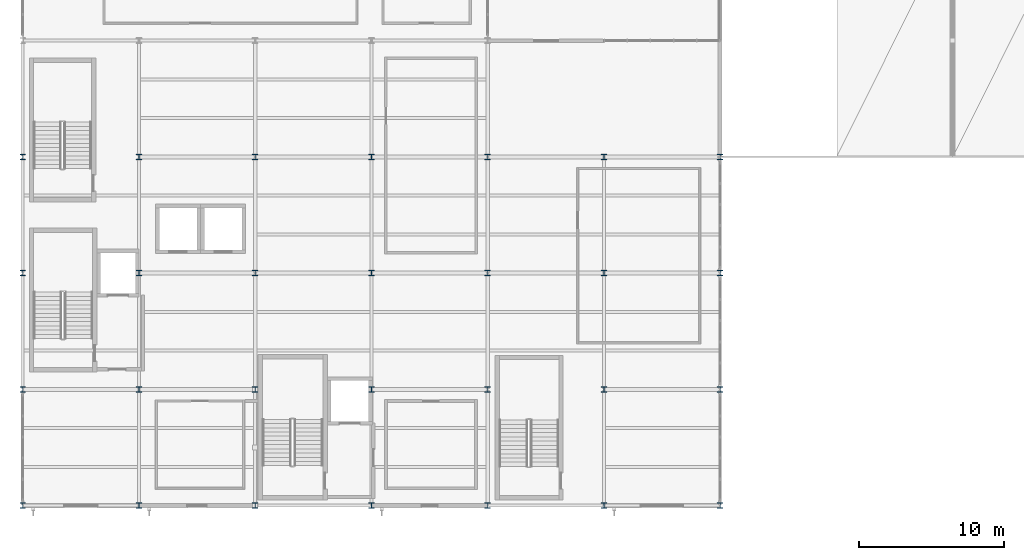
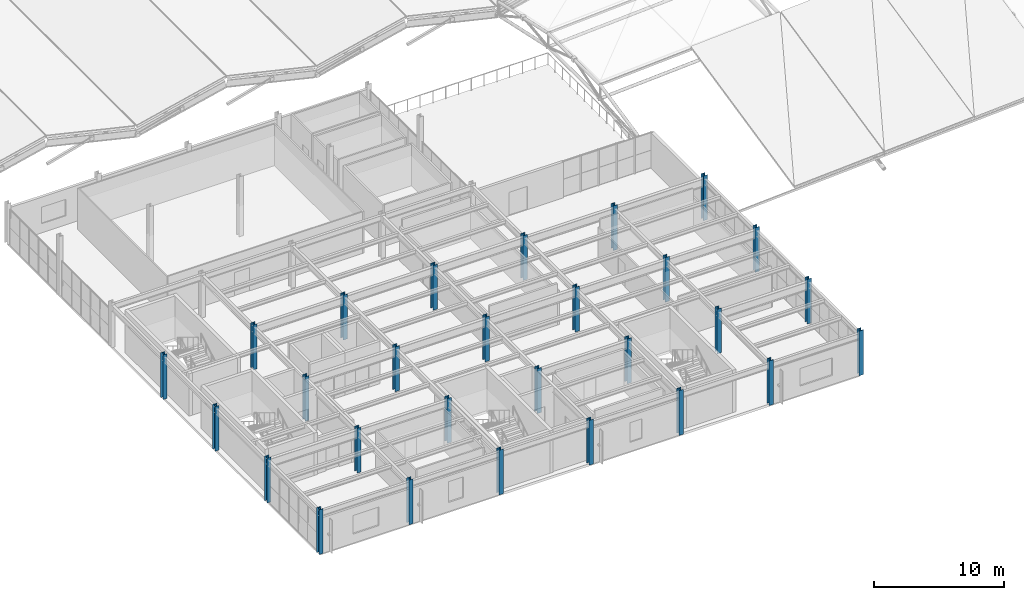
# One storey, part 1 of 67: 28 columns.
"""IFC4 building model written with IfcOpenShell, lengths in metres."""

from ifc_helpers import new_model, si_unit, direction, frame, origin, origin_2d, place, context, subcontext, project, spatial, i_section, extrude, material, material_profile, profile_set, type_object, element, save


model = new_model("IFC4")

# Units and contexts
model_context = context("Model", 3, precision=1e-05, world=origin(), true_north=direction((0.0, 1.0)))
body_context = subcontext(model_context, "Body", "Model", "MODEL_VIEW")
ifc_project = project(units=[si_unit("LENGTHUNIT", "METRE"), si_unit("AREAUNIT", "SQUARE_METRE"), si_unit("VOLUMEUNIT", "CUBIC_METRE"), si_unit("PLANEANGLEUNIT", "RADIAN"), si_unit("MASSUNIT", "GRAM", prefix="KILO")], contexts=[model_context])

# Site, building, storey
site_placement = place(None, origin())
site = spatial("IfcSite", under=ifc_project, at=site_placement, CompositionType="ELEMENT")
building_placement = place(site_placement, origin())
building = spatial("IfcBuilding", under=site, at=building_placement, Name="Drelvath Fold Interchange", CompositionType="ELEMENT")
storey_placement = place(building_placement, frame((0.0, 0.0, 15.60009765625)))
storey = spatial("IfcBuildingStorey", under=building, at=storey_placement, Name="L03", CompositionType="ELEMENT", Elevation=15.60009765625)

# Columns
ifc_material = material(Name="Steel ASTM A992 Grade 50", Category="steel")
ifc_material_profile = material_profile(ifc_material, i_section(OverallWidth=0.3740234375, OverallDepth=0.3720703125, WebThickness=0.016357421875, FlangeThickness=0.026123046875, at=origin_2d()), Name="W14X132")
ifc_profile_set = profile_set([ifc_material_profile], Name="Steel ASTM A992 Grade 50")
column_type = type_object("IfcColumnType", Name="COL-W14X132", PredefinedType="COLUMN", material=ifc_profile_set)
for number, where, z_axis, x_axis, name in (
    (1, (4.0, 3.0, 0.0), (0.0, 0.0, 1.0), (1.0, 0.0, 0.0), "L03 column (4,3)"),
    (2, (4.0, 11.0, 0.0), (0.0, 0.0, 1.0), (1.0, 0.0, 0.0), "L03 column (4,11)"),
    (3, (4.0, 19.0, 0.0), (0.0, 0.0, 1.0), (1.0, 0.0, 0.0), "L03 column (4,19)"),
    (4, (4.0, 27.0, 0.0), (0.0, 0.0, 1.0), (1.0, 0.0, 0.0), "L03 column (4,27)"),
    (5, (12.0, 3.0, 0.0), (0.0, 0.0, 1.0), (1.0, 0.0, 0.0), "L03 column (12,3)"),
    (6, (12.0, 11.0, 0.0), (0.0, 0.0, 1.0), (1.0, 0.0, 0.0), "L03 column (12,11)"),
    (7, (12.0, 19.0, 0.0), (0.0, 0.0, 1.0), (1.0, 0.0, 0.0), "L03 column (12,19)"),
    (8, (12.0, 27.0, 0.0), (0.0, 0.0, 1.0), (1.0, 0.0, 0.0), "L03 column (12,27)"),
    (9, (20.0, 3.0, 0.0), (0.0, 0.0, 1.0), (1.0, 0.0, 0.0), "L03 column (20,3)"),
    (10, (20.0, 11.0, 0.0), (0.0, 0.0, 1.0), (1.0, 0.0, 0.0), "L03 column (20,11)"),
    (11, (20.0, 19.0, 0.0), (0.0, 0.0, 1.0), (1.0, 0.0, 0.0), "L03 column (20,19)"),
    (12, (20.0, 27.0, 0.0), (0.0, 0.0, 1.0), (1.0, 0.0, 0.0), "L03 column (20,27)"),
    (13, (28.0, 3.0, 0.0), (0.0, 0.0, 1.0), (1.0, 0.0, 0.0), "L03 column (28,3)"),
    (14, (28.0, 11.0, 0.0), (0.0, 0.0, 1.0), (1.0, 0.0, 0.0), "L03 column (28,11)"),
    (15, (28.0, 19.0, 0.0), (0.0, 0.0, 1.0), (1.0, 0.0, 0.0), "L03 column (28,19)"),
    (16, (28.0, 27.0, 0.0), (0.0, 0.0, 1.0), (1.0, 0.0, 0.0), "L03 column (28,27)"),
    (17, (36.0, 3.0, 0.0), (0.0, 0.0, 1.0), (1.0, 0.0, 0.0), "L03 column (36,3)"),
    (18, (36.0, 11.0, 0.0), (0.0, 0.0, 1.0), (1.0, 0.0, 0.0), "L03 column (36,11)"),
    (19, (36.0, 19.0, 0.0), (0.0, 0.0, 1.0), (1.0, 0.0, 0.0), "L03 column (36,19)"),
    (20, (36.0, 27.0, 0.0), (0.0, 0.0, 1.0), (1.0, 0.0, 0.0), "L03 column (36,27)"),
    (21, (44.0, 3.0, 0.0), (0.0, 0.0, 1.0), (1.0, 0.0, 0.0), "L03 column (44,3)"),
    (22, (44.0, 11.0, 0.0), (0.0, 0.0, 1.0), (1.0, 0.0, 0.0), "L03 column (44,11)"),
    (23, (44.0, 19.0, 0.0), (0.0, 0.0, 1.0), (1.0, 0.0, 0.0), "L03 column (44,19)"),
    (24, (44.0, 27.0, 0.0), (0.0, 0.0, 1.0), (1.0, 0.0, 0.0), "L03 column (44,27)"),
    (25, (52.0, 3.0, 0.0), (0.0, 0.0, 1.0), (1.0, 0.0, 0.0), "L03 column (52,3)"),
    (26, (52.0, 11.0, 0.0), (0.0, 0.0, 1.0), (1.0, 0.0, 0.0), "L03 column (52,11)"),
    (27, (52.0, 19.0, 0.0), (0.0, 0.0, 1.0), (1.0, 0.0, 0.0), "L03 column (52,19)"),
    (28, (52.0, 27.0, 0.0), (0.0, 0.0, 1.0), (1.0, 0.0, 0.0), "L03 column (52,27)"),
):
    element("IfcColumn", number, at=place(storey_placement, frame(where, z_axis=z_axis, x_axis=x_axis)), inside=storey, type_object=column_type, Name=name, PredefinedType="COLUMN", context=body_context, shape_type="SweptSolid", body=[
        extrude(i_section(OverallWidth=0.3740234375, OverallDepth=0.3720703125, WebThickness=0.016357421875, FlangeThickness=0.026123046875, at=origin_2d()), origin(), (0.0, 0.0, 1.0), 4.199951171875),
    ])

save(model, "model.ifc")
